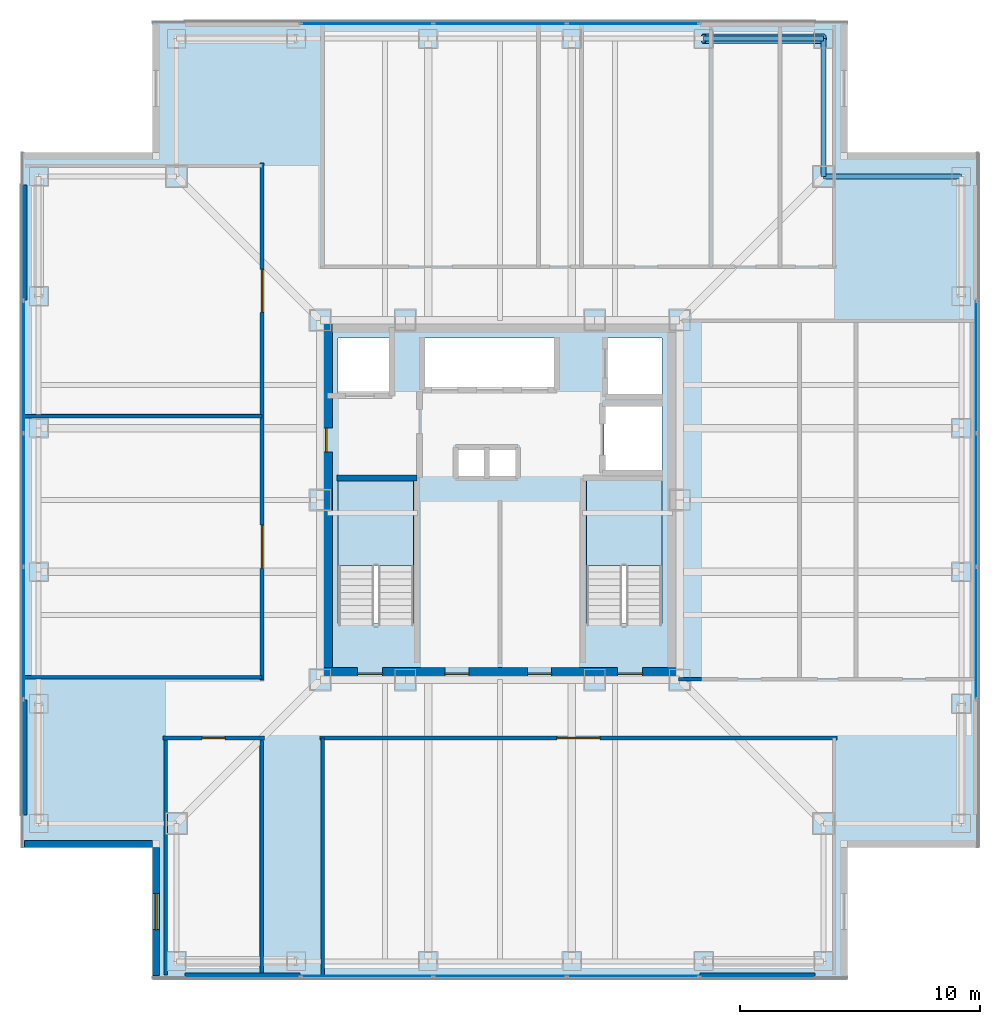
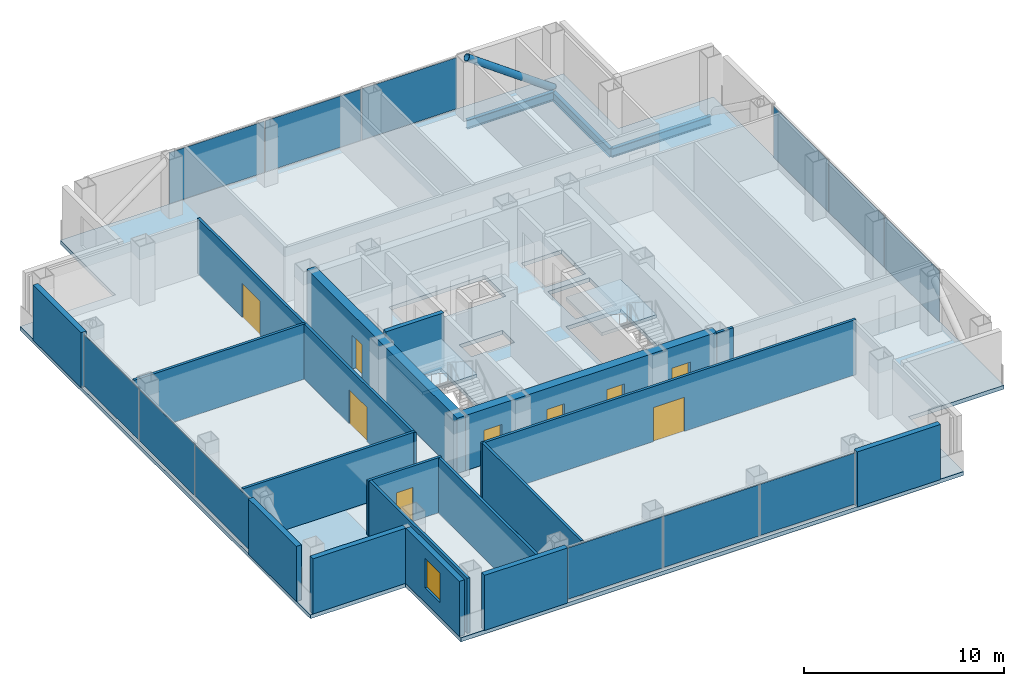
# One storey, part 8 of 16: 18 walls, 12 plates, 9 doors, 3 beams, 3 slabs, 1 member, 1 window, 10 openings, 6 elements without a shape of their own.
"""IFC4 building model written with IfcOpenShell, lengths in metres."""

from ifc_helpers import new_model, si_unit, direction, frame, frame_2d, origin, origin_2d, place, context, subcontext, project, spatial, polyline, rectangle, hollow_circle, i_section, outline, extrude, material, layer, layer_set, material_profile, profile_set, type_object, element, fill, aggregate, save


model = new_model("IFC4")

# Units and contexts
model_context = context("Model", 3, precision=1e-05, world=origin(), true_north=direction((0.0, 1.0)))
body_context = subcontext(model_context, "Body", "Model", "MODEL_VIEW")
ifc_project = project(units=[si_unit("LENGTHUNIT", "METRE"), si_unit("AREAUNIT", "SQUARE_METRE"), si_unit("VOLUMEUNIT", "CUBIC_METRE"), si_unit("PLANEANGLEUNIT", "RADIAN"), si_unit("MASSUNIT", "GRAM", prefix="KILO")], contexts=[model_context])

# Site, building, storey
site_placement = place(None, origin())
site = spatial("IfcSite", under=ifc_project, at=site_placement, CompositionType="ELEMENT")
building_placement = place(site_placement, origin())
building = spatial("IfcBuilding", under=site, at=building_placement, Name="Trevonay Congress Spire", CompositionType="ELEMENT")
storey_placement = place(building_placement, frame((0.0, 0.0, 180.60009765625)))
storey = spatial("IfcBuildingStorey", under=building, at=storey_placement, Name="L46", CompositionType="ELEMENT", Elevation=180.60009765625)

# Beams
ifc_material_1 = material(Name="Steel ASTM A572 Grade 50", Category="steel")
ifc_material_profile_1 = material_profile(ifc_material_1, i_section(OverallWidth=0.2119140625, OverallDepth=0.5439453125, WebThickness=0.01318359375, FlangeThickness=0.021240234375, FilletRadius=0.014892578125, at=origin_2d()), Name="W530x123")
ifc_profile_set_1 = profile_set([ifc_material_profile_1], Name="Steel ASTM A572 Grade 50")
beam_type = type_object("IfcBeamType", Name="BM-RING-W530X123", PredefinedType="BEAM", material=ifc_profile_set_1)
beam_placement = place(storey_placement, frame((8.5, 19.25, -0.51220703125), z_axis=(1.0, 0.0, 0.0), x_axis=(0.0, 1.0, 0.0)))
element("IfcBeam", 1, at=beam_placement, inside=storey, type_object=beam_type, Name="L46 structural beam BM-L46-PN5", PredefinedType="BEAM", context=body_context, shape_type="SweptSolid", body=[
    extrude(i_section(OverallWidth=0.2119140625, OverallDepth=0.5439453125, WebThickness=0.01318359375, FlangeThickness=0.021240234375, FilletRadius=0.014892578125, at=origin_2d()), origin(), (0.0, 0.0, 1.0), 5.0),
])
for number, where, z_axis, x_axis, name in (
    (2, (13.5, 19.25, -0.51220703125), (0.0, -1.0, 0.0), (1.0, 0.0, 0.0), "L46 structural beam BM-L46-N1NE"),
    (3, (19.25, 13.5, -0.51220703125), (-1.0, 0.0, 0.0), (0.0, -1.0, 0.0), "L46 structural beam BM-L46-N2NE"),
):
    element("IfcBeam", number, at=place(storey_placement, frame(where, z_axis=z_axis, x_axis=x_axis)), inside=storey, type_object=beam_type, Name=name, PredefinedType="BEAM", context=body_context, shape_type="SweptSolid", body=[
        extrude(i_section(OverallWidth=0.2119140625, OverallDepth=0.5439453125, WebThickness=0.01318359375, FlangeThickness=0.021240234375, FilletRadius=0.014892578125, at=origin_2d()), origin(), (0.0, 0.0, 1.0), 5.75),
    ])

# Member
ifc_material_2 = material(Name="Steel ASTM A500 Grade C", Category="steel")
ifc_material_profile_2 = material_profile(ifc_material_2, hollow_circle(Radius=0.203125, WallThickness=0.02001953125, at=origin_2d()), Name="CHS 406.4x20")
ifc_profile_set_2 = profile_set([ifc_material_profile_2], Name="Steel ASTM A500 Grade C")
member_type = type_object("IfcMemberType", Name="MBR-TUBE-CHS406", PredefinedType="BRACE", material=ifc_profile_set_2)
member_placement = place(storey_placement, frame((13.5, 19.25, -0.050048828125), z_axis=(-0.811545615365, 0.0, 0.584289067313), x_axis=(0.0, -1.0, 0.0)))
element("IfcMember", 4, at=member_placement, inside=storey, type_object=member_type, Name="L46 perimeter braced-tube diagonal N4", PredefinedType="BRACE", context=body_context, shape_type="SweptSolid", body=[
    extrude(hollow_circle(Radius=0.203125, WallThickness=0.02001953125, at=origin_2d()), origin(), (0.0, 0.0, 1.0), 6.1611328125),
])

# Curtain wall, plates
ifc_material_3 = material(Name="Pale Anodised Aluminium EN AW-6063-T6", Category="aluminium")
ifc_layer_1 = layer(ifc_material_3, 0.169921875, Name="Pale Anodised Aluminium EN AW-6063-T6")
ifc_layer_set_1 = layer_set([ifc_layer_1], Name="Pale Anodised Aluminium EN AW-6063-T6")
curtain_wall_type = type_object("IfcCurtainWallType", Name="CW-SYS04-CORP-PALE-METAL", PredefinedType="NOTDEFINED", material=ifc_layer_set_1)
curtain_wall_1_placement = place(storey_placement, origin())
curtain_wall_1 = element("IfcCurtainWall", 5, at=curtain_wall_1_placement, inside=storey, type_object=curtain_wall_type, Name="L46 S unitised curtain wall", PredefinedType="NOTDEFINED")
ifc_material_4 = material(Name="Insulated Low-E Vision Glass IGU", Category="glass")
ifc_layer_2 = layer(ifc_material_4, 0.035888671875, Name="Insulated Low-E Vision Glass IGU")
ifc_layer_set_2 = layer_set([ifc_layer_2], Name="Insulated Low-E Vision Glass IGU")
plate_type = type_object("IfcPlateType", Name="CW-PANEL-IGU36-SILVER", PredefinedType="CURTAIN_PANEL", material=ifc_layer_set_2)
plate_1_placement = place(storey_placement, frame((-5.5517578125, -19.8798828125, 0.119873046875), z_axis=(0.0, 0.0, 1.0), x_axis=(1.0, 0.0, 0.0)))
plate_1 = element("IfcPlate", 6, at=plate_1_placement, type_object=plate_type, Name="CW04 panel 1.1", PredefinedType="CURTAIN_PANEL", context=body_context, shape_type="SweptSolid", body=[
    extrude(rectangle(XDim=5.4765625, YDim=0.035888671875, at=origin_2d()), origin(), (0.0, 0.0, 1.0), 3.1201171875),
])
plate_2_placement = place(storey_placement, frame((0.0, -19.8798828125, 0.119873046875), z_axis=(0.0, 0.0, 1.0), x_axis=(1.0, 0.0, 0.0)))
plate_2 = element("IfcPlate", 7, at=plate_2_placement, type_object=plate_type, Name="CW04 panel 2.1", PredefinedType="CURTAIN_PANEL", context=body_context, shape_type="SweptSolid", body=[
    extrude(rectangle(XDim=5.506591796875, YDim=0.035888671875, at=origin_2d()), origin(), (0.0, 0.0, 1.0), 3.1201171875),
])
plate_3_placement = place(storey_placement, frame((5.5517578125, -19.8798828125, 0.119873046875), z_axis=(0.0, 0.0, 1.0), x_axis=(1.0, 0.0, 0.0)))
plate_3 = element("IfcPlate", 8, at=plate_3_placement, type_object=plate_type, Name="CW04 panel 3.1", PredefinedType="CURTAIN_PANEL", context=body_context, shape_type="SweptSolid", body=[
    extrude(rectangle(XDim=5.4765625, YDim=0.035888671875, at=origin_2d()), origin(), (0.0, 0.0, 1.0), 3.1201171875),
])
aggregate(curtain_wall_1, [plate_1, plate_2, plate_3])

curtain_wall_2_placement = place(storey_placement, origin())
curtain_wall_2 = element("IfcCurtainWall", 9, at=curtain_wall_2_placement, inside=storey, type_object=curtain_wall_type, Name="L46 N unitised curtain wall", PredefinedType="NOTDEFINED")
plate_4_placement = place(storey_placement, frame((-5.5517578125, 19.8798828125, 0.119873046875), z_axis=(0.0, 0.0, 1.0), x_axis=(1.0, 0.0, 0.0)))
plate_4 = element("IfcPlate", 10, at=plate_4_placement, type_object=plate_type, Name="CW04 panel 1.1", PredefinedType="CURTAIN_PANEL", context=body_context, shape_type="SweptSolid", body=[
    extrude(rectangle(XDim=5.4765625, YDim=0.035888671875, at=origin_2d()), origin(), (0.0, 0.0, 1.0), 3.1201171875),
])
plate_5_placement = place(storey_placement, frame((0.0, 19.8798828125, 0.119873046875), z_axis=(0.0, 0.0, 1.0), x_axis=(1.0, 0.0, 0.0)))
plate_5 = element("IfcPlate", 11, at=plate_5_placement, type_object=plate_type, Name="CW04 panel 2.1", PredefinedType="CURTAIN_PANEL", context=body_context, shape_type="SweptSolid", body=[
    extrude(rectangle(XDim=5.506591796875, YDim=0.035888671875, at=origin_2d()), origin(), (0.0, 0.0, 1.0), 3.1201171875),
])
plate_6_placement = place(storey_placement, frame((5.5517578125, 19.8798828125, 0.119873046875), z_axis=(0.0, 0.0, 1.0), x_axis=(1.0, 0.0, 0.0)))
plate_6 = element("IfcPlate", 12, at=plate_6_placement, type_object=plate_type, Name="CW04 panel 3.1", PredefinedType="CURTAIN_PANEL", context=body_context, shape_type="SweptSolid", body=[
    extrude(rectangle(XDim=5.4765625, YDim=0.035888671875, at=origin_2d()), origin(), (0.0, 0.0, 1.0), 3.1201171875),
])
aggregate(curtain_wall_2, [plate_4, plate_5, plate_6])

curtain_wall_3_placement = place(storey_placement, origin())
curtain_wall_3 = element("IfcCurtainWall", 13, at=curtain_wall_3_placement, inside=storey, type_object=curtain_wall_type, Name="L46 W unitised curtain wall", PredefinedType="NOTDEFINED")
plate_7_placement = place(storey_placement, frame((-19.8798828125, -5.5517578125, 0.119873046875), z_axis=(0.0, 0.0, 1.0), x_axis=(0.0, 1.0, 0.0)))
plate_7 = element("IfcPlate", 14, at=plate_7_placement, type_object=plate_type, Name="CW04 panel 1.1", PredefinedType="CURTAIN_PANEL", context=body_context, shape_type="SweptSolid", body=[
    extrude(rectangle(XDim=5.4765625, YDim=0.035888671875, at=origin_2d()), origin(), (0.0, 0.0, 1.0), 3.1201171875),
])
plate_8_placement = place(storey_placement, frame((-19.8798828125, 0.0, 0.119873046875), z_axis=(0.0, 0.0, 1.0), x_axis=(0.0, 1.0, 0.0)))
plate_8 = element("IfcPlate", 15, at=plate_8_placement, type_object=plate_type, Name="CW04 panel 2.1", PredefinedType="CURTAIN_PANEL", context=body_context, shape_type="SweptSolid", body=[
    extrude(rectangle(XDim=5.506591796875, YDim=0.035888671875, at=origin_2d()), origin(), (0.0, 0.0, 1.0), 3.1201171875),
])
plate_9_placement = place(storey_placement, frame((-19.8798828125, 5.5517578125, 0.119873046875), z_axis=(0.0, 0.0, 1.0), x_axis=(0.0, 1.0, 0.0)))
plate_9 = element("IfcPlate", 16, at=plate_9_placement, type_object=plate_type, Name="CW04 panel 3.1", PredefinedType="CURTAIN_PANEL", context=body_context, shape_type="SweptSolid", body=[
    extrude(rectangle(XDim=5.4765625, YDim=0.035888671875, at=origin_2d()), origin(), (0.0, 0.0, 1.0), 3.1201171875),
])
aggregate(curtain_wall_3, [plate_7, plate_8, plate_9])

curtain_wall_4_placement = place(storey_placement, origin())
curtain_wall_4 = element("IfcCurtainWall", 17, at=curtain_wall_4_placement, inside=storey, type_object=curtain_wall_type, Name="L46 E unitised curtain wall", PredefinedType="NOTDEFINED")
plate_10_placement = place(storey_placement, frame((19.8798828125, -5.5517578125, 0.119873046875), z_axis=(0.0, 0.0, 1.0), x_axis=(0.0, 1.0, 0.0)))
plate_10 = element("IfcPlate", 18, at=plate_10_placement, type_object=plate_type, Name="CW04 panel 1.1", PredefinedType="CURTAIN_PANEL", context=body_context, shape_type="SweptSolid", body=[
    extrude(rectangle(XDim=5.4765625, YDim=0.035888671875, at=origin_2d()), origin(), (0.0, 0.0, 1.0), 3.1201171875),
])
plate_11_placement = place(storey_placement, frame((19.8798828125, 0.0, 0.119873046875), z_axis=(0.0, 0.0, 1.0), x_axis=(0.0, 1.0, 0.0)))
plate_11 = element("IfcPlate", 19, at=plate_11_placement, type_object=plate_type, Name="CW04 panel 2.1", PredefinedType="CURTAIN_PANEL", context=body_context, shape_type="SweptSolid", body=[
    extrude(rectangle(XDim=5.506591796875, YDim=0.035888671875, at=origin_2d()), origin(), (0.0, 0.0, 1.0), 3.1201171875),
])
plate_12_placement = place(storey_placement, frame((19.8798828125, 5.5517578125, 0.119873046875), z_axis=(0.0, 0.0, 1.0), x_axis=(0.0, 1.0, 0.0)))
plate_12 = element("IfcPlate", 20, at=plate_12_placement, type_object=plate_type, Name="CW04 panel 3.1", PredefinedType="CURTAIN_PANEL", context=body_context, shape_type="SweptSolid", body=[
    extrude(rectangle(XDim=5.4765625, YDim=0.035888671875, at=origin_2d()), origin(), (0.0, 0.0, 1.0), 3.1201171875),
])
aggregate(curtain_wall_4, [plate_10, plate_11, plate_12])

# Stair, slab
ifc_material_5 = material(Name="Concrete C40/50", Category="concrete")
stair_type_1 = type_object("IfcStairType", Name="STR-ST-1", PredefinedType="HALF_TURN_STAIR", material=ifc_material_5)
stair_1_placement = place(storey_placement, origin())
stair_1 = element("IfcStair", 21, at=stair_1_placement, inside=storey, type_object=stair_type_1, Name="L46 Protected Exit Stair ST-1", PredefinedType="HALF_TURN_STAIR")
ifc_layer_3 = layer(ifc_material_5, 0.199951171875, Name="Concrete C40/50")
ifc_layer_set_3 = layer_set([ifc_layer_3], Name="Concrete C40/50")
slab_type_1 = type_object("IfcSlabType", Name="SLB-STAIR-LAND-200", PredefinedType="LANDING", material=ifc_layer_set_3)
slab_1_placement = place(storey_placement, frame((0.0, 0.0, 1.599853515625)))
slab_1 = element("IfcSlab", 22, at=slab_1_placement, type_object=slab_type_1, Name="ST-1 landing 1", PredefinedType="LANDING", context=body_context, shape_type="SweptSolid", body=[
    extrude(outline(polyline([(-3.60009765625, -2.72998046875), (-3.60009765625, 0.85009765625), (-6.75, 0.85009765625), (-6.75, -2.72998046875), (-3.60009765625, -2.72998046875)])), origin(), (0.0, 0.0, 1.0), 0.199951171875),
])
aggregate(stair_1, [slab_1])

stair_type_2 = type_object("IfcStairType", Name="STR-ST-2", PredefinedType="HALF_TURN_STAIR", material=ifc_material_5)
stair_2_placement = place(storey_placement, origin())
stair_2 = element("IfcStair", 23, at=stair_2_placement, inside=storey, type_object=stair_type_2, Name="L46 Protected Exit Stair ST-2", PredefinedType="HALF_TURN_STAIR")
slab_2_placement = place(storey_placement, frame((0.0, 0.0, 1.599853515625)))
slab_2 = element("IfcSlab", 24, at=slab_2_placement, type_object=slab_type_1, Name="ST-2 landing 1", PredefinedType="LANDING", context=body_context, shape_type="SweptSolid", body=[
    extrude(outline(polyline([(6.75, -2.72998046875), (6.75, 0.85009765625), (3.60009765625, 0.85009765625), (3.60009765625, -2.72998046875), (6.75, -2.72998046875)])), origin(), (0.0, 0.0, 1.0), 0.199951171875),
])
aggregate(stair_2, [slab_2])

# Slab
ifc_layer_4 = layer(ifc_material_5, 0.239990234375, Name="Concrete C40/50")
ifc_layer_set_4 = layer_set([ifc_layer_4], Name="Concrete C40/50")
slab_type_2 = type_object("IfcSlabType", Name="SLB-TOW2-240", PredefinedType="FLOOR", material=ifc_layer_set_4)
slab_3_placement = place(storey_placement, frame((0.0, 0.0, -0.239990234375)))
element("IfcSlab", 25, at=slab_3_placement, inside=storey, type_object=slab_type_2, Name="L46 structural floor slab", PredefinedType="FLOOR", context=body_context, shape_type="SweptSolid", body=[
    extrude(outline(polyline([(-14.5, -20.0), (14.5, -20.0), (14.5, -14.5), (20.0, -14.5), (20.0, 14.5), (14.5, 14.5), (14.5, 20.0), (-14.5, 20.0), (-14.5, 14.5), (-20.0, 14.5), (-20.0, -14.5), (-14.5, -14.5), (-14.5, -20.0)]), holes=[polyline([(-3.60009765625, -5.14990234375), (-3.60009765625, 0.85009765625), (-6.75, 0.85009765625), (-6.75, -5.14990234375), (-3.60009765625, -5.14990234375)]), polyline([(6.75, -5.14990234375), (6.75, 0.85009765625), (3.60009765625, 0.85009765625), (3.60009765625, -5.14990234375), (6.75, -5.14990234375)]), polyline([(-3.199951171875, 4.64990234375), (2.340087890625, 4.64990234375), (2.340087890625, 6.75), (-3.199951171875, 6.75), (-3.199951171875, 4.64990234375)]), polyline([(-6.75, 4.35009765625), (-4.449951171875, 4.35009765625), (-4.449951171875, 6.75), (-6.75, 6.75), (-6.75, 4.35009765625)]), polyline([(4.449951171875, 4.35009765625), (6.75, 4.35009765625), (6.75, 6.75), (4.449951171875, 6.75), (4.449951171875, 4.35009765625)]), polyline([(4.35009765625, 1.199951171875), (6.75, 1.199951171875), (6.75, 3.949951171875), (4.35009765625, 3.949951171875), (4.35009765625, 1.199951171875)]), polyline([(-1.800048828125, 0.949951171875), (0.699951171875, 0.949951171875), (0.699951171875, 2.14990234375), (-1.800048828125, 2.14990234375), (-1.800048828125, 0.949951171875)])]), origin(), (0.0, 0.0, 1.0), 0.239990234375),
])

# Wall, openings, doors
ifc_material_6 = material(Name="Concrete C50/60", Category="concrete")
ifc_layer_5 = layer(ifc_material_6, 0.5, Name="Concrete C50/60")
ifc_layer_set_5 = layer_set([ifc_layer_5], Name="Concrete C50/60")
wall_type_1 = type_object("IfcWallType", Name="WAL-CORE-500", PredefinedType="SHEAR", material=ifc_layer_set_5)
wall_1_placement = place(storey_placement, frame((-7.5, -7.25, 0.0), z_axis=(0.0, 0.0, 1.0), x_axis=(1.0, 0.0, 0.0)))
wall_1 = element("IfcWall", 26, at=wall_1_placement, inside=storey, type_object=wall_type_1, Name="L46 South structural core shear wall", PredefinedType="SHEAR", context=body_context, shape_type="SweptSolid", body=[
    extrude(rectangle(XDim=15.0, YDim=0.5, at=frame_2d((7.5, 0.0))), origin(), (0.0, 0.0, 1.0), 3.35986328125),
])
opening_1_placement = place(wall_1_placement, frame((1.550048828125, 0.0, 0.0)))
opening_1 = element("IfcOpeningElement", 27, at=opening_1_placement, cuts=wall_1, Name="Opening D05", PredefinedType="OPENING", context=body_context, shape_type="SweptSolid", body=[
    extrude(rectangle(XDim=1.050048828125, YDim=2.080078125, at=frame_2d((0.52490234375, 1.0400390625))), frame((0.0, 0.260009765625, 0.0), z_axis=(0.0, -1.0, 0.0), x_axis=(1.0, 0.0, 0.0)), (0.0, 0.0, 1.0), 0.52001953125),
])
opening_2_placement = place(wall_1_placement, frame((12.39990234375, 0.0, 0.0)))
opening_2 = element("IfcOpeningElement", 28, at=opening_2_placement, cuts=wall_1, Name="Opening D05", PredefinedType="OPENING", context=body_context, shape_type="SweptSolid", body=[
    extrude(rectangle(XDim=1.050048828125, YDim=2.080078125, at=frame_2d((0.52490234375, 1.0400390625))), frame((0.0, 0.260009765625, 0.0), z_axis=(0.0, -1.0, 0.0), x_axis=(1.0, 0.0, 0.0)), (0.0, 0.0, 1.0), 0.52001953125),
])
opening_3_placement = place(wall_1_placement, frame((5.199951171875, 0.0, 0.0)))
opening_3 = element("IfcOpeningElement", 29, at=opening_3_placement, cuts=wall_1, Name="Opening D06", PredefinedType="OPENING", context=body_context, shape_type="SweptSolid", body=[
    extrude(rectangle(XDim=1.0, YDim=2.080078125, at=frame_2d((0.5, 1.0400390625))), frame((0.0, 0.260009765625, 0.0), z_axis=(0.0, -1.0, 0.0), x_axis=(1.0, 0.0, 0.0)), (0.0, 0.0, 1.0), 0.52001953125),
])
opening_4_placement = place(wall_1_placement, frame((8.64990234375, 0.0, 0.0)))
opening_4 = element("IfcOpeningElement", 30, at=opening_4_placement, cuts=wall_1, Name="Opening D06", PredefinedType="OPENING", context=body_context, shape_type="SweptSolid", body=[
    extrude(rectangle(XDim=1.0, YDim=2.080078125, at=frame_2d((0.5, 1.0400390625))), frame((0.0, 0.260009765625, 0.0), z_axis=(0.0, -1.0, 0.0), x_axis=(1.0, 0.0, 0.0)), (0.0, 0.0, 1.0), 0.52001953125),
])
door_type_1 = type_object("IfcDoorType", Name="DOR-FIRE-100", OperationType="NOTDEFINED", PredefinedType="DOOR", material=ifc_material_1)
door_1_placement = place(opening_3_placement, origin())
door_1 = element("IfcDoor", 31, at=door_1_placement, inside=storey, type_object=door_type_1, Name="L46 South Core Room 1 Door", OperationType="SINGLE_SWING_RIGHT", OverallHeight=2.080078125, OverallWidth=1.0, PredefinedType="DOOR", context=body_context, shape_type="SweptSolid", body=[
    extrude(rectangle(XDim=1.0, YDim=2.080078125, at=frame_2d((0.5, 1.0400390625))), frame((0.0, 0.02490234375, 0.0), z_axis=(0.0, -1.0, 0.0), x_axis=(1.0, 0.0, 0.0)), (0.0, 0.0, 1.0), 0.050048828125),
])
fill(opening_3, door_1)
door_2_placement = place(opening_4_placement, origin())
door_2 = element("IfcDoor", 32, at=door_2_placement, inside=storey, type_object=door_type_1, Name="L46 South Core Room 2 Door", OperationType="SINGLE_SWING_LEFT", OverallHeight=2.080078125, OverallWidth=1.0, PredefinedType="DOOR", context=body_context, shape_type="SweptSolid", body=[
    extrude(rectangle(XDim=1.0, YDim=2.080078125, at=frame_2d((0.5, 1.0400390625))), frame((0.0, 0.02490234375, 0.0), z_axis=(0.0, -1.0, 0.0), x_axis=(1.0, 0.0, 0.0)), (0.0, 0.0, 1.0), 0.050048828125),
])
fill(opening_4, door_2)
door_type_2 = type_object("IfcDoorType", Name="DOR-STAIR-110", OperationType="NOTDEFINED", PredefinedType="DOOR", material=ifc_material_1)
door_3_placement = place(opening_1_placement, origin())
door_3 = element("IfcDoor", 33, at=door_3_placement, inside=storey, type_object=door_type_2, Name="L46 Protected Stair ST-1 Door", OperationType="SINGLE_SWING_LEFT", OverallHeight=2.080078125, OverallWidth=1.050048828125, PredefinedType="DOOR", context=body_context, shape_type="SweptSolid", body=[
    extrude(rectangle(XDim=1.050048828125, YDim=2.080078125, at=frame_2d((0.52490234375, 1.0400390625))), frame((0.0, 0.02490234375, 0.0), z_axis=(0.0, -1.0, 0.0), x_axis=(1.0, 0.0, 0.0)), (0.0, 0.0, 1.0), 0.050048828125),
])
fill(opening_1, door_3)
door_4_placement = place(opening_2_placement, origin())
door_4 = element("IfcDoor", 34, at=door_4_placement, inside=storey, type_object=door_type_2, Name="L46 Protected Stair ST-2 Door", OperationType="SINGLE_SWING_RIGHT", OverallHeight=2.080078125, OverallWidth=1.050048828125, PredefinedType="DOOR", context=body_context, shape_type="SweptSolid", body=[
    extrude(rectangle(XDim=1.050048828125, YDim=2.080078125, at=frame_2d((0.52490234375, 1.0400390625))), frame((0.0, 0.02490234375, 0.0), z_axis=(0.0, -1.0, 0.0), x_axis=(1.0, 0.0, 0.0)), (0.0, 0.0, 1.0), 0.050048828125),
])
fill(opening_2, door_4)

# Wall, opening, door
wall_2_placement = place(storey_placement, frame((-7.25, -7.5, 0.0), z_axis=(0.0, 0.0, 1.0), x_axis=(0.0, 1.0, 0.0)))
wall_2 = element("IfcWall", 35, at=wall_2_placement, inside=storey, type_object=wall_type_1, Name="L46 West structural core shear wall", PredefinedType="SHEAR", context=body_context, shape_type="SweptSolid", body=[
    extrude(rectangle(XDim=15.0, YDim=0.5, at=frame_2d((7.5, 0.0))), origin(), (0.0, 0.0, 1.0), 3.35986328125),
])
opening_5_placement = place(wall_2_placement, frame((9.5, 0.0, 0.0)))
opening_5 = element("IfcOpeningElement", 36, at=opening_5_placement, cuts=wall_2, Name="Opening D06", PredefinedType="OPENING", context=body_context, shape_type="SweptSolid", body=[
    extrude(rectangle(XDim=1.0, YDim=2.080078125, at=frame_2d((0.5, 1.0400390625))), frame((0.0, 0.260009765625, 0.0), z_axis=(0.0, -1.0, 0.0), x_axis=(1.0, 0.0, 0.0)), (0.0, 0.0, 1.0), 0.52001953125),
])
door_5_placement = place(opening_5_placement, origin())
door_5 = element("IfcDoor", 37, at=door_5_placement, inside=storey, type_object=door_type_1, Name="L46 Firefighting Lift Lobby West Corridor Door", OperationType="SINGLE_SWING_LEFT", OverallHeight=2.080078125, OverallWidth=1.0, PredefinedType="DOOR", context=body_context, shape_type="SweptSolid", body=[
    extrude(rectangle(XDim=1.0, YDim=2.080078125, at=frame_2d((0.5, 1.0400390625))), frame((0.0, 0.02490234375, 0.0), z_axis=(0.0, -1.0, 0.0), x_axis=(1.0, 0.0, 0.0)), (0.0, 0.0, 1.0), 0.050048828125),
])
fill(opening_5, door_5)

ifc_layer_6 = layer(ifc_material_5, 0.14990234375, Name="Concrete C40/50")
ifc_layer_set_6 = layer_set([ifc_layer_6], Name="Concrete C40/50")
wall_type_2 = type_object("IfcWallType", Name="WAL-CORR-150", PredefinedType="PARTITIONING", material=ifc_layer_set_6)
wall_3_placement = place(storey_placement, frame((-14.070068359375, -9.929931640625, 0.0), z_axis=(0.0, 0.0, 1.0), x_axis=(1.0, 0.0, 0.0)))
wall_3 = element("IfcWall", 38, at=wall_3_placement, inside=storey, type_object=wall_type_2, Name="L46 interior wall WP-L46SW-COR", PredefinedType="PARTITIONING", context=body_context, shape_type="SweptSolid", body=[
    extrude(rectangle(XDim=4.239990234375, YDim=0.14990234375, at=frame_2d((2.1201171875, 0.0))), origin(), (0.0, 0.0, 1.0), 3.35986328125),
])
opening_6_placement = place(wall_3_placement, frame((1.64501953125, 0.0, 0.0)))
opening_6 = element("IfcOpeningElement", 39, at=opening_6_placement, cuts=wall_3, Name="Opening D07", PredefinedType="OPENING", context=body_context, shape_type="SweptSolid", body=[
    extrude(rectangle(XDim=0.949951171875, YDim=2.06005859375, at=frame_2d((0.47509765625, 1.030029296875))), frame((0.0, 0.0849609375, 0.0), z_axis=(0.0, -1.0, 0.0), x_axis=(1.0, 0.0, 0.0)), (0.0, 0.0, 1.0), 0.169921875),
])
door_type_3 = type_object("IfcDoorType", Name="DOR-OFFICE-95", OperationType="NOTDEFINED", PredefinedType="DOOR", material=ifc_material_3)
door_6_placement = place(opening_6_placement, origin())
door_6 = element("IfcDoor", 40, at=door_6_placement, inside=storey, type_object=door_type_3, Name="L46 Tribunal Judges Deliberation Room Door", OperationType="SINGLE_SWING_LEFT", OverallHeight=2.06005859375, OverallWidth=0.949951171875, PredefinedType="DOOR", context=body_context, shape_type="SweptSolid", body=[
    extrude(rectangle(XDim=0.949951171875, YDim=2.06005859375, at=frame_2d((0.47509765625, 1.030029296875))), frame((0.0, 0.02490234375, 0.0), z_axis=(0.0, -1.0, 0.0), x_axis=(1.0, 0.0, 0.0)), (0.0, 0.0, 1.0), 0.050048828125),
])
fill(opening_6, door_6)

wall_4_placement = place(storey_placement, frame((-7.52001953125, -9.929931640625, 0.0), z_axis=(0.0, 0.0, 1.0), x_axis=(1.0, 0.0, 0.0)))
wall_4 = element("IfcWall", 41, at=wall_4_placement, inside=storey, type_object=wall_type_2, Name="L46 interior wall WP-L46SE-COR", PredefinedType="PARTITIONING", context=body_context, shape_type="SweptSolid", body=[
    extrude(rectangle(XDim=21.590087890625, YDim=0.14990234375, at=frame_2d((10.794921875, 0.0))), origin(), (0.0, 0.0, 1.0), 3.35986328125),
])
opening_7_placement = place(wall_4_placement, frame((9.89501953125, 0.0, 0.0)))
opening_7 = element("IfcOpeningElement", 42, at=opening_7_placement, cuts=wall_4, Name="Opening D09", PredefinedType="OPENING", context=body_context, shape_type="SweptSolid", body=[
    extrude(rectangle(XDim=1.800048828125, YDim=2.080078125, at=frame_2d((0.89990234375, 1.0400390625))), frame((0.0, 0.0849609375, 0.0), z_axis=(0.0, -1.0, 0.0), x_axis=(1.0, 0.0, 0.0)), (0.0, 0.0, 1.0), 0.169921875),
])
door_type_4 = type_object("IfcDoorType", Name="DOR-CONF-DBL", OperationType="DOUBLE_DOOR_SINGLE_SWING", PredefinedType="DOOR", material=ifc_material_3)
door_7_placement = place(opening_7_placement, origin())
door_7 = element("IfcDoor", 43, at=door_7_placement, inside=storey, type_object=door_type_4, Name="L46 Grand International Arbitration Hearing Hall Door", OperationType="DOUBLE_DOOR_SINGLE_SWING", OverallHeight=2.080078125, OverallWidth=1.800048828125, PredefinedType="DOOR", context=body_context, shape_type="SweptSolid", body=[
    extrude(rectangle(XDim=1.800048828125, YDim=2.080078125, at=frame_2d((0.89990234375, 1.0400390625))), frame((0.0, 0.02490234375, 0.0), z_axis=(0.0, -1.0, 0.0), x_axis=(1.0, 0.0, 0.0)), (0.0, 0.0, 1.0), 0.050048828125),
])
fill(opening_7, door_7)

# Wall, openings, doors
wall_5_placement = place(storey_placement, frame((-9.929931640625, -7.52001953125, 0.0), z_axis=(0.0, 0.0, 1.0), x_axis=(0.0, 1.0, 0.0)))
wall_5 = element("IfcWall", 44, at=wall_5_placement, inside=storey, type_object=wall_type_2, Name="L46 interior wall WP-L46NW-COR", PredefinedType="PARTITIONING", context=body_context, shape_type="SweptSolid", body=[
    extrude(rectangle(XDim=21.590087890625, YDim=0.14990234375, at=frame_2d((10.794921875, 0.0))), origin(), (0.0, 0.0, 1.0), 3.35986328125),
])
opening_8_placement = place(wall_5_placement, frame((4.669921875, 0.0, 0.0)))
opening_8 = element("IfcOpeningElement", 45, at=opening_8_placement, cuts=wall_5, Name="Opening D09", PredefinedType="OPENING", context=body_context, shape_type="SweptSolid", body=[
    extrude(rectangle(XDim=1.800048828125, YDim=2.080078125, at=frame_2d((0.89990234375, 1.0400390625))), frame((0.0, 0.0849609375, 0.0), z_axis=(0.0, -1.0, 0.0), x_axis=(1.0, 0.0, 0.0)), (0.0, 0.0, 1.0), 0.169921875),
])
opening_9_placement = place(wall_5_placement, frame((15.344970703125, 0.0, 0.0)))
opening_9 = element("IfcOpeningElement", 46, at=opening_9_placement, cuts=wall_5, Name="Opening D09", PredefinedType="OPENING", context=body_context, shape_type="SweptSolid", body=[
    extrude(rectangle(XDim=1.800048828125, YDim=2.080078125, at=frame_2d((0.89990234375, 1.0400390625))), frame((0.0, 0.0849609375, 0.0), z_axis=(0.0, -1.0, 0.0), x_axis=(1.0, 0.0, 0.0)), (0.0, 0.0, 1.0), 0.169921875),
])
door_8_placement = place(opening_8_placement, origin())
door_8 = element("IfcDoor", 47, at=door_8_placement, inside=storey, type_object=door_type_4, Name="L46 Claimant Caucus Boardroom Door", OperationType="DOUBLE_DOOR_SINGLE_SWING", OverallHeight=2.080078125, OverallWidth=1.800048828125, PredefinedType="DOOR", context=body_context, shape_type="SweptSolid", body=[
    extrude(rectangle(XDim=1.800048828125, YDim=2.080078125, at=frame_2d((0.89990234375, 1.0400390625))), frame((0.0, 0.02490234375, 0.0), z_axis=(0.0, -1.0, 0.0), x_axis=(1.0, 0.0, 0.0)), (0.0, 0.0, 1.0), 0.050048828125),
])
fill(opening_8, door_8)
door_9_placement = place(opening_9_placement, origin())
door_9 = element("IfcDoor", 48, at=door_9_placement, inside=storey, type_object=door_type_4, Name="L46 Respondent Caucus Boardroom Door", OperationType="DOUBLE_DOOR_SINGLE_SWING", OverallHeight=2.080078125, OverallWidth=1.800048828125, PredefinedType="DOOR", context=body_context, shape_type="SweptSolid", body=[
    extrude(rectangle(XDim=1.800048828125, YDim=2.080078125, at=frame_2d((0.89990234375, 1.0400390625))), frame((0.0, 0.02490234375, 0.0), z_axis=(0.0, -1.0, 0.0), x_axis=(1.0, 0.0, 0.0)), (0.0, 0.0, 1.0), 0.050048828125),
])
fill(opening_9, door_9)

# Walls
wall_6_placement = place(storey_placement, frame((7.449951171875, -7.47998046875, 0.0), z_axis=(0.0, 0.0, 1.0), x_axis=(1.0, 0.0, 0.0)))
element("IfcWall", 49, at=wall_6_placement, inside=storey, type_object=wall_type_2, Name="L46 interior wall WP-L46E-STUB", PredefinedType="PARTITIONING", context=body_context, shape_type="SweptSolid", body=[
    extrude(rectangle(XDim=0.949951171875, YDim=0.14990234375, at=frame_2d((0.47509765625, 0.0))), origin(), (0.0, 0.0, 1.0), 3.35986328125),
])
ifc_material_7 = material(Name="Precast concrete C40/50", Category="concrete")
ifc_layer_7 = layer(ifc_material_7, 0.300048828125, Name="Precast concrete C40/50")
ifc_layer_set_7 = layer_set([ifc_layer_7], Name="Precast concrete C40/50")
wall_type_3 = type_object("IfcWallType", Name="WAL-EXT-PRECAST-300", PredefinedType="SOLIDWALL", material=ifc_layer_set_7)
for number, where, z_axis, x_axis, name in (
    (50, (-13.14990234375, -19.8798828125, 0.0), (0.0, 0.0, 1.0), (1.0, 0.0, 0.0), "L46 SL braced-bay exterior pier wall"),
    (51, (8.35009765625, -19.8798828125, 0.0), (0.0, 0.0, 1.0), (1.0, 0.0, 0.0), "L46 SR braced-bay exterior pier wall"),
    (52, (-19.8798828125, -13.14990234375, 0.0), (0.0, 0.0, 1.0), (0.0, 1.0, 0.0), "L46 WL braced-bay exterior pier wall"),
    (53, (-19.8798828125, 8.35009765625, 0.0), (0.0, 0.0, 1.0), (0.0, 1.0, 0.0), "L46 WR braced-bay exterior pier wall"),
):
    element("IfcWall", number, at=place(storey_placement, frame(where, z_axis=z_axis, x_axis=x_axis)), inside=storey, type_object=wall_type_3, Name=name, PredefinedType="SOLIDWALL", context=body_context, shape_type="SweptSolid", body=[
        extrude(rectangle(XDim=4.7998046875, YDim=0.300048828125, at=frame_2d((2.39990234375, 0.0))), origin(), (0.0, 0.0, 1.0), 3.35986328125),
    ])

# Wall, opening, window
wall_7_placement = place(storey_placement, frame((-14.35009765625, -19.85009765625, 0.0), z_axis=(0.0, 0.0, 1.0), x_axis=(0.0, 1.0, 0.0)))
wall_7 = element("IfcWall", 54, at=wall_7_placement, inside=storey, type_object=wall_type_3, Name="L46 SW re-entrant notch exterior wall 1", PredefinedType="SOLIDWALL", context=body_context, shape_type="SweptSolid", body=[
    extrude(rectangle(XDim=5.35009765625, YDim=0.300048828125, at=frame_2d((2.675048828125, 0.0))), origin(), (0.0, 0.0, 1.0), 3.35986328125),
])
opening_10_placement = place(wall_7_placement, frame((1.925048828125, 0.0, 0.89990234375)))
opening_10 = element("IfcOpeningElement", 55, at=opening_10_placement, cuts=wall_7, Name="Opening WN03", PredefinedType="OPENING", context=body_context, shape_type="SweptSolid", body=[
    extrude(rectangle(XDim=1.5, YDim=1.800048828125, at=frame_2d((0.75, 0.89990234375))), frame((0.0, 0.16015625, 0.0), z_axis=(0.0, -1.0, 0.0), x_axis=(1.0, 0.0, 0.0)), (0.0, 0.0, 1.0), 0.320068359375),
])
window_type = type_object("IfcWindowType", Name="WIN-NOTCH-150X180", PartitioningType="SINGLE_PANEL", PredefinedType="WINDOW", material=ifc_material_4)
window_placement = place(opening_10_placement, origin())
window = element("IfcWindow", 56, at=window_placement, inside=storey, type_object=window_type, Name="L46 SW corner notch window", OverallHeight=1.800048828125, OverallWidth=1.5, PartitioningType="SINGLE_PANEL", PredefinedType="WINDOW", context=body_context, shape_type="SweptSolid", body=[
    extrude(rectangle(XDim=1.5, YDim=1.800048828125, at=frame_2d((0.75, 0.89990234375))), frame((0.0, 0.030029296875, 0.0), z_axis=(0.0, -1.0, 0.0), x_axis=(1.0, 0.0, 0.0)), (0.0, 0.0, 1.0), 0.06005859375),
])
fill(opening_10, window)

# Walls
wall_8_placement = place(storey_placement, frame((-19.85009765625, -14.35009765625, 0.0), z_axis=(0.0, 0.0, 1.0), x_axis=(1.0, 0.0, 0.0)))
element("IfcWall", 57, at=wall_8_placement, inside=storey, type_object=wall_type_3, Name="L46 SW re-entrant notch exterior wall 2", PredefinedType="SOLIDWALL", context=body_context, shape_type="SweptSolid", body=[
    extrude(rectangle(XDim=5.35009765625, YDim=0.300048828125, at=frame_2d((2.675048828125, 0.0))), origin(), (0.0, 0.0, 1.0), 3.35986328125),
])
ifc_layer_8 = layer(ifc_material_5, 0.14990234375, Name="Concrete C40/50")
ifc_layer_set_8 = layer_set([ifc_layer_8], Name="Concrete C40/50")
wall_type_4 = type_object("IfcWallType", Name="WAL-PART-150", PredefinedType="PARTITIONING", material=ifc_layer_set_8)
for number, where, z_axis, x_axis, name in (
    (58, (-13.949951171875, -19.820068359375, 0.0), (0.0, 0.0, 1.0), (0.0, 1.0, 0.0), "L46 interior wall WP-L46SW-DIV1"),
    (59, (-9.949951171875, -19.820068359375, 0.0), (0.0, 0.0, 1.0), (0.0, 1.0, 0.0), "L46 interior wall WP-L46SW-DIV2"),
    (60, (-7.39990234375, -19.820068359375, 0.0), (0.0, 0.0, 1.0), (0.0, 1.0, 0.0), "L46 interior wall WP-L46SE-DIV1"),
    (61, (-19.820068359375, -7.39990234375, 0.0), (0.0, 0.0, 1.0), (1.0, 0.0, 0.0), "L46 interior wall WP-L46NW-DIV1"),
    (62, (-19.820068359375, 3.5, 0.0), (0.0, 0.0, 1.0), (1.0, 0.0, 0.0), "L46 interior wall WP-L46NW-DIV2"),
):
    element("IfcWall", number, at=place(storey_placement, frame(where, z_axis=z_axis, x_axis=x_axis)), inside=storey, type_object=wall_type_4, Name=name, PredefinedType="PARTITIONING", context=body_context, shape_type="SweptSolid", body=[
        extrude(rectangle(XDim=9.89013671875, YDim=0.14990234375, at=frame_2d((4.945068359375, 0.0))), origin(), (0.0, 0.0, 1.0), 3.35986328125),
    ])
ifc_layer_9 = layer(ifc_material_5, 0.25, Name="Concrete C40/50")
ifc_layer_set_9 = layer_set([ifc_layer_9], Name="Concrete C40/50")
wall_type_5 = type_object("IfcWallType", Name="WAL-SHAFT-LB-250", PredefinedType="SHEAR", material=ifc_layer_set_9)
wall_9_placement = place(storey_placement, frame((-6.800048828125, 0.919921875, 0.0), z_axis=(0.0, 0.0, 1.0), x_axis=(1.0, 0.0, 0.0)))
element("IfcWall", 63, at=wall_9_placement, inside=storey, type_object=wall_type_5, Name="L46 interior shaft wall WSH-L46-ST1-N", PredefinedType="SHEAR", context=body_context, shape_type="SweptSolid", body=[
    extrude(rectangle(XDim=3.330078125, YDim=0.25, at=frame_2d((1.6650390625, 0.0))), origin(), (0.0, 0.0, 1.0), 3.35986328125),
])

save(model, "model.ifc")
